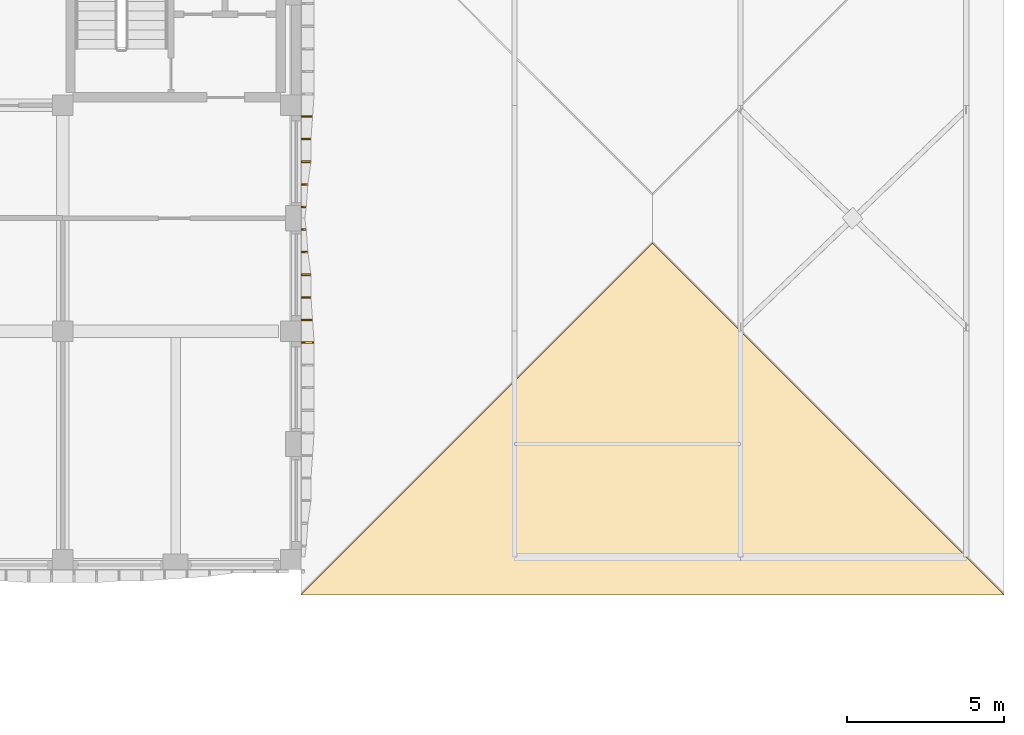
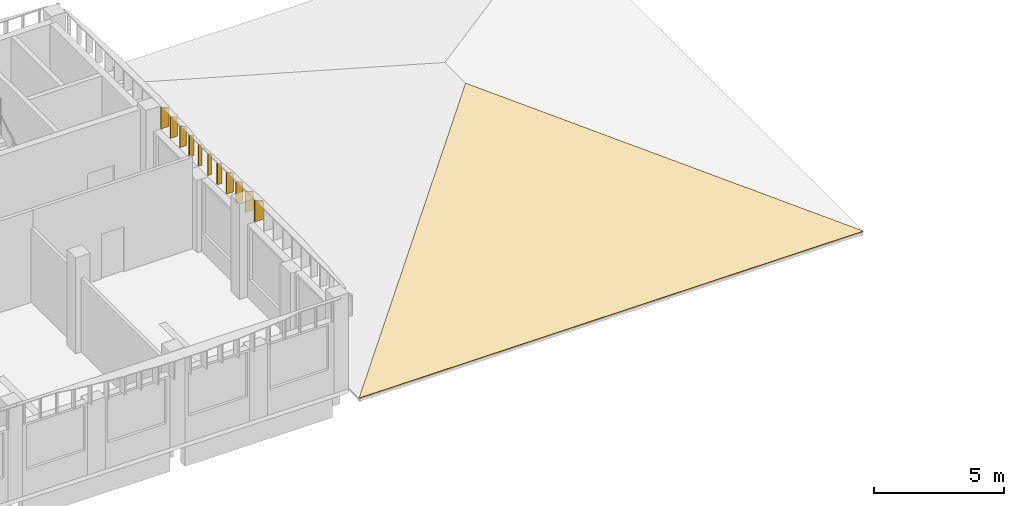
# One storey, part 47 of 54: 11 shading devices, 1 covering.
"""IFC4 building model written with IfcOpenShell, lengths in metres."""

from ifc_helpers import new_model, si_unit, direction, frame, origin, place, context, subcontext, project, spatial, polyline, outline, extrude, material, layer, layer_set, type_object, element, save


model = new_model("IFC4")

# Units and contexts
model_context = context("Model", 3, precision=1e-05, world=origin(), true_north=direction((0.0, 1.0)))
body_context = subcontext(model_context, "Body", "Model", "MODEL_VIEW")
ifc_project = project(units=[si_unit("LENGTHUNIT", "METRE"), si_unit("AREAUNIT", "SQUARE_METRE"), si_unit("VOLUMEUNIT", "CUBIC_METRE"), si_unit("PLANEANGLEUNIT", "RADIAN"), si_unit("MASSUNIT", "GRAM", prefix="KILO")], contexts=[model_context])

# Site, building, storey
site_placement = place(None, origin())
site = spatial("IfcSite", under=ifc_project, at=site_placement, CompositionType="ELEMENT")
building_placement = place(site_placement, origin())
building = spatial("IfcBuilding", under=site, at=building_placement, Name="Ussher Court Research Institute", CompositionType="ELEMENT")
storey_placement = place(building_placement, frame((0.0, 0.0, 14.39990234375)))
storey = spatial("IfcBuildingStorey", under=building, at=storey_placement, Name="L03", CompositionType="ELEMENT", Elevation=14.39990234375)

# Shading devices
ifc_material_1 = material(Name="Bronze anodised aluminium", Category="aluminium")
ifc_layer_1 = layer(ifc_material_1, 0.050048828125)
ifc_layer_set_1 = layer_set([ifc_layer_1], Name="Bronze anodised aluminium")
shading_device_type_1 = type_object("IfcShadingDeviceType", Name="Brim blade 150 mm deep 1000 mm high canted 20 deg dry", PredefinedType="USERDEFINED", material=ifc_layer_set_1)
for number, where, z_axis, x_axis, name in (
    (1, (82.60009765625, 79.9599609375, 3.4501953125), (0.0, 0.0, 1.0), (1.0, 0.0, 0.0), "Brim blade BS16 L03"),
    (2, (82.60009765625, 79.239990234375, 3.4501953125), (0.0, 0.0, 1.0), (1.0, 0.0, 0.0), "Brim blade BS16 L03"),
):
    element("IfcShadingDevice", number, at=place(storey_placement, frame(where, z_axis=z_axis, x_axis=x_axis)), inside=storey, type_object=shading_device_type_1, Name=name, ObjectType="BLADE", PredefinedType="USERDEFINED", context=body_context, shape_type="SweptSolid", body=[
        extrude(outline(polyline([(0.0, 0.0), (0.14990234375, 0.0), (0.14990234375, 0.9453125), (0.0, 1.0), (0.0, 0.0)])), frame((0.0, 0.02490234375, 0.0), z_axis=(0.0, -1.0, 0.0), x_axis=(1.0, 0.0, 0.0)), (0.0, 0.0, 1.0), 0.050048828125),
    ])
ifc_material_2 = material(Name="Bronze anodised aluminium", Category="aluminium")
ifc_layer_2 = layer(ifc_material_2, 0.050048828125)
ifc_layer_set_2 = layer_set([ifc_layer_2], Name="Bronze anodised aluminium")
shading_device_type_2 = type_object("IfcShadingDeviceType", Name="Brim blade 200 mm deep 1000 mm high canted 20 deg dry", PredefinedType="USERDEFINED", material=ifc_layer_set_2)
for number, where, z_axis, x_axis, name in (
    (3, (82.60009765625, 80.679931640625, 3.4501953125), (0.0, 0.0, 1.0), (1.0, 0.0, 0.0), "Brim blade BS15 L03"),
    (4, (82.60009765625, 78.52001953125, 3.4501953125), (0.0, 0.0, 1.0), (1.0, 0.0, 0.0), "Brim blade BS15 L03"),
):
    element("IfcShadingDevice", number, at=place(storey_placement, frame(where, z_axis=z_axis, x_axis=x_axis)), inside=storey, type_object=shading_device_type_2, Name=name, ObjectType="BLADE", PredefinedType="USERDEFINED", context=body_context, shape_type="SweptSolid", body=[
        extrude(outline(polyline([(0.0, 0.0), (0.199951171875, 0.0), (0.199951171875, 0.927001953125), (0.0, 1.0), (0.0, 0.0)])), frame((0.0, 0.02490234375, 0.0), z_axis=(0.0, -1.0, 0.0), x_axis=(1.0, 0.0, 0.0)), (0.0, 0.0, 1.0), 0.050048828125),
    ])
ifc_material_3 = material(Name="Bronze anodised aluminium", Category="aluminium")
ifc_layer_3 = layer(ifc_material_3, 0.050048828125)
ifc_layer_set_3 = layer_set([ifc_layer_3], Name="Bronze anodised aluminium")
shading_device_type_3 = type_object("IfcShadingDeviceType", Name="Brim blade 300 mm deep 1000 mm high canted 20 deg dry", PredefinedType="USERDEFINED", material=ifc_layer_set_3)
for number, where, z_axis, x_axis, name in (
    (5, (82.60009765625, 82.1201171875, 3.4501953125), (0.0, 0.0, 1.0), (1.0, 0.0, 0.0), "Brim blade BS13 L03"),
    (6, (82.60009765625, 81.39990234375, 3.4501953125), (0.0, 0.0, 1.0), (1.0, 0.0, 0.0), "Brim blade BS13 L03"),
    (7, (82.60009765625, 77.800048828125, 3.4501953125), (0.0, 0.0, 1.0), (1.0, 0.0, 0.0), "Brim blade BS13 L03"),
    (8, (82.60009765625, 77.080078125, 3.4501953125), (0.0, 0.0, 1.0), (1.0, 0.0, 0.0), "Brim blade BS13 L03"),
):
    element("IfcShadingDevice", number, at=place(storey_placement, frame(where, z_axis=z_axis, x_axis=x_axis)), inside=storey, type_object=shading_device_type_3, Name=name, ObjectType="BLADE", PredefinedType="USERDEFINED", context=body_context, shape_type="SweptSolid", body=[
        extrude(outline(polyline([(0.0, 0.0), (0.2998046875, 0.0), (0.300048828125, 0.890625), (0.0, 1.0), (0.0, 0.0)])), frame((0.0, 0.02490234375, 0.0), z_axis=(0.0, -1.0, 0.0), x_axis=(1.0, 0.0, 0.0)), (0.0, 0.0, 1.0), 0.050048828125),
    ])
ifc_material_4 = material(Name="Bronze anodised aluminium", Category="aluminium")
ifc_layer_4 = layer(ifc_material_4, 0.050048828125)
ifc_layer_set_4 = layer_set([ifc_layer_4], Name="Bronze anodised aluminium")
shading_device_type_4 = type_object("IfcShadingDeviceType", Name="Brim blade 350 mm deep 1000 mm high canted 20 deg dry", PredefinedType="USERDEFINED", material=ifc_layer_set_4)
for number, where, z_axis, x_axis, name in (
    (9, (82.60009765625, 82.840087890625, 3.4501953125), (0.0, 0.0, 1.0), (1.0, 0.0, 0.0), "Brim blade BS12 L03"),
    (10, (82.60009765625, 76.360107421875, 3.4501953125), (0.0, 0.0, 1.0), (1.0, 0.0, 0.0), "Brim blade BS12 L03"),
):
    element("IfcShadingDevice", number, at=place(storey_placement, frame(where, z_axis=z_axis, x_axis=x_axis)), inside=storey, type_object=shading_device_type_4, Name=name, ObjectType="BLADE", PredefinedType="USERDEFINED", context=body_context, shape_type="SweptSolid", body=[
        extrude(outline(polyline([(0.0, 0.0), (0.349853515625, 0.0), (0.35009765625, 0.87255859375), (0.0, 1.0), (0.0, 0.0)])), frame((0.0, 0.02490234375, 0.0), z_axis=(0.0, -1.0, 0.0), x_axis=(1.0, 0.0, 0.0)), (0.0, 0.0, 1.0), 0.050048828125),
    ])
ifc_material_5 = material(Name="Bronze anodised aluminium", Category="aluminium")
ifc_layer_5 = layer(ifc_material_5, 0.050048828125)
ifc_layer_set_5 = layer_set([ifc_layer_5], Name="Bronze anodised aluminium")
shading_device_type_5 = type_object("IfcShadingDeviceType", Name="Brim blade 400 mm deep 1000 mm high canted 20 deg dry", PredefinedType="USERDEFINED", material=ifc_layer_set_5)
shading_device_placement = place(storey_placement, frame((82.60009765625, 75.639892578125, 3.4501953125), z_axis=(0.0, 0.0, 1.0), x_axis=(1.0, 0.0, 0.0)))
element("IfcShadingDevice", 11, at=shading_device_placement, inside=storey, type_object=shading_device_type_5, Name="Brim blade BS11 L03", ObjectType="BLADE", PredefinedType="USERDEFINED", context=body_context, shape_type="SweptSolid", body=[
    extrude(outline(polyline([(0.0, 0.0), (0.39990234375, 0.0), (0.39990234375, 0.854248046875), (0.0, 1.0), (0.0, 0.0)])), frame((0.0, 0.02490234375, 0.0), z_axis=(0.0, -1.0, 0.0), x_axis=(1.0, 0.0, 0.0)), (0.0, 0.0, 1.0), 0.050048828125),
])

# Covering
ifc_material_6 = material(Name="Zinc standing seam")
ifc_layer_6 = layer(ifc_material_6, 0.0400390625)
ifc_layer_set_6 = layer_set([ifc_layer_6], Name="Zinc standing seam")
covering_type = type_object("IfcCoveringType", Name="Standing seam zinc covering 40", PredefinedType="ROOFING", material=ifc_layer_set_6)
covering_placement = place(storey_placement, frame((82.60009765625, 67.60009765625, 0.042724609375), z_axis=(0.0, -0.342017710593, 0.939693506225), x_axis=(1.0, 0.0, 0.0)))
element("IfcCovering", 12, at=covering_placement, inside=storey, type_object=covering_type, Name="Roof covering RC1 V3", PredefinedType="ROOFING", context=body_context, shape_type="SweptSolid", body=[
    extrude(outline(polyline([(0.0, 0.0), (22.39990234375, 0.0), (11.199951171875, 11.918727859332478), (0.0, 0.0)])), origin(), (0.0, 0.0, -1.0), 0.0400390625),
])

save(model, "model.ifc")
